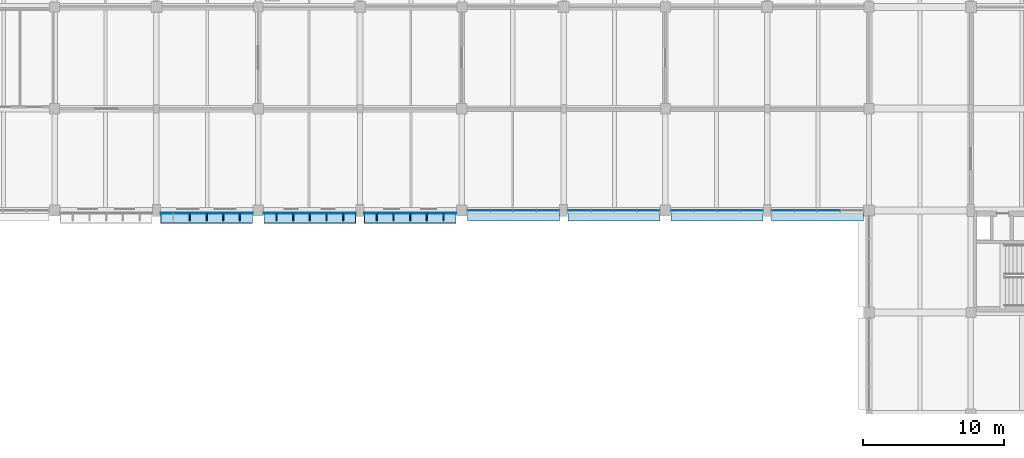
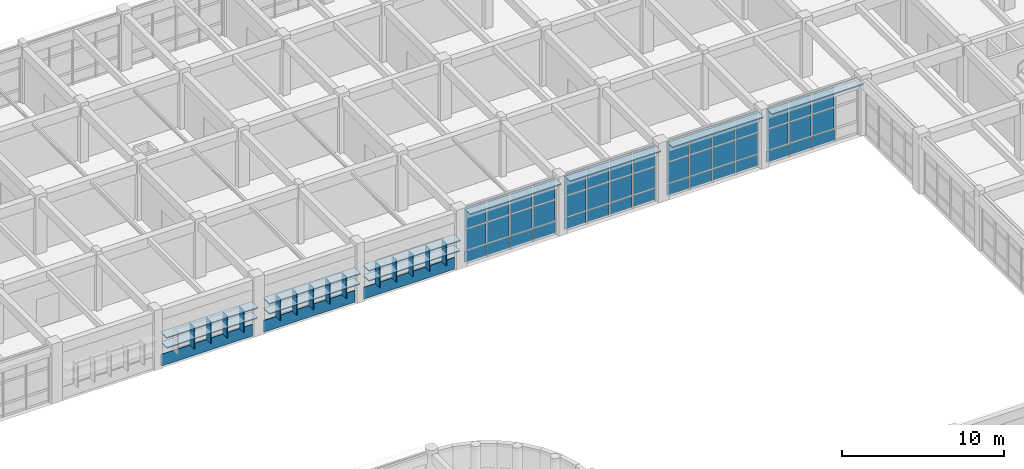
# One storey, part 137 of 171: 72 plates, 4 elements without a shape of their own.
"""IFC4 building model written with IfcOpenShell, lengths in metres."""

import ifcopenshell
import ifcopenshell.guid

model = None  # the IFC model being written
_history = None  # IfcOwnerHistory: only IFC2X3 demands one
_inside = {}  # id of a spatial element -> (the spatial element, [elements in it])
_under = {}  # id of a project, library or spatial element -> (it, [spatial elements below it])
_declared = {}  # id of a project -> (the project, [libraries it declares])
_typed = {}  # id of a type object -> (the type object, [elements of that type])
_made_of = {}  # id of a material, layer set ... -> (it, [elements and type objects made of it])


def new_model(schema):
    """Start an empty IFC model of exactly this schema.

    Asked for "IFC4X3", IfcOpenShell would pick the latest addendum, in which some entities
    have other attributes; the version numbers below select the first issue.
    IFC2X3 requires an IfcOwnerHistory on every rooted entity: one is made here for all.
    """
    global model, _history
    if schema == "IFC4X3":
        model = ifcopenshell.file(schema_version=(4, 3, 0, 0))
    else:
        model = ifcopenshell.file(schema=schema)
    _inside.clear()
    _under.clear()
    _declared.clear()
    _typed.clear()
    _made_of.clear()
    _history = None
    if model.schema == "IFC2X3":
        org = make("IfcOrganization", Name="unknown")
        user = make(
            "IfcPersonAndOrganization",
            ThePerson=make("IfcPerson", FamilyName="unknown"),
            TheOrganization=org,
        )
        app = make(
            "IfcApplication",
            ApplicationDeveloper=org,
            Version="unknown",
            ApplicationFullName="unknown",
            ApplicationIdentifier="unknown",
        )
        _history = make(
            "IfcOwnerHistory",
            OwningUser=user,
            OwningApplication=app,
            ChangeAction="ADDED",
            CreationDate=0,
        )
    return model


def make(cls, **values):
    """One entity of the class cls with the attributes given. An attribute that is None is left unset."""
    return model.create_entity(
        cls, **{name: value for name, value in values.items() if value is not None}
    )


def rooted(cls, **values):
    """An entity with a GlobalId (a new one), such as an element, a storey or a relation."""
    return make(cls, GlobalId=ifcopenshell.guid.new(), OwnerHistory=_history, **values)


def si_unit(unit_type, name, prefix=None):
    """IfcSIUnit, for example si_unit("LENGTHUNIT", "METRE", prefix="MILLI")."""
    return make("IfcSIUnit", UnitType=unit_type, Prefix=prefix, Name=name)


def assignment(units):
    """IfcUnitAssignment: the units of a project."""
    return None if units is None else make("IfcUnitAssignment", Units=units)


def point(xyz):
    """IfcCartesianPoint."""
    return None if xyz is None else make("IfcCartesianPoint", Coordinates=xyz)


def direction(xyz):
    """IfcDirection."""
    return None if xyz is None else make("IfcDirection", DirectionRatios=xyz)


def frame(location, z_axis=None, x_axis=None):
    """IfcAxis2Placement3D, a coordinate frame: its origin and axes. An axis left out is left unset."""
    return make(
        "IfcAxis2Placement3D",
        Location=point(location),
        Axis=direction(z_axis),
        RefDirection=direction(x_axis),
    )


def frame_2d(location, x_axis=None):
    """IfcAxis2Placement2D, a coordinate frame in the plane: its origin and x axis."""
    return make(
        "IfcAxis2Placement2D", Location=point(location), RefDirection=direction(x_axis)
    )


def origin():
    """The frame at (0, 0, 0) with its axes left unset."""
    return frame((0.0, 0.0, 0.0))


def origin_2d():
    """The frame at (0, 0) in the plane with its x axis left unset."""
    return frame_2d((0.0, 0.0))


def place(relative_to, where):
    """IfcLocalPlacement: puts the frame where relative to a parent placement (None: the world)."""
    return make(
        "IfcLocalPlacement", PlacementRelTo=relative_to, RelativePlacement=where
    )


def context(
    kind, dimensions, precision=None, world=None, true_north=None, identifier=None
):
    """IfcGeometricRepresentationContext, for example the 3D "Model" context."""
    return make(
        "IfcGeometricRepresentationContext",
        ContextIdentifier=identifier,
        ContextType=kind,
        CoordinateSpaceDimension=dimensions,
        Precision=precision,
        WorldCoordinateSystem=world,
        TrueNorth=true_north,
    )


def subcontext(parent, identifier, kind, view, scale=None):
    """IfcGeometricRepresentationSubContext, for example "Body" below "Model"."""
    return make(
        "IfcGeometricRepresentationSubContext",
        ContextIdentifier=identifier,
        ContextType=kind,
        ParentContext=parent,
        TargetScale=scale,
        TargetView=view,
    )


def project(units=None, contexts=None):
    """IfcProject with its units and contexts."""
    return rooted(
        "IfcProject",
        Name="project",
        RepresentationContexts=contexts,
        UnitsInContext=assignment(units),
    )


def spatial(cls, under=None, at=None, **own):
    """A site, building, storey or space (cls), placed at a placement, below another one or the project."""
    s = rooted(cls, ObjectPlacement=at, **own)
    if under is not None:
        _under.setdefault(under.id(), (under, []))[1].append(s)
    return s


def profile(cls, at=None, kind="AREA", **sizes):
    """A parametric profile (cls). Its sizes go by their IFC names, for example OverallWidth=200.0."""
    return make(cls, ProfileType=kind, Position=at, **sizes)


def rectangle(**sizes):
    """IfcRectangleProfileDef."""
    return profile("IfcRectangleProfileDef", **sizes)


def extrude(swept, where, along, depth):
    """IfcExtrudedAreaSolid: the profile swept, set in the frame where, extruded along a direction by depth."""
    return make(
        "IfcExtrudedAreaSolid",
        SweptArea=swept,
        Position=where,
        ExtrudedDirection=direction(along),
        Depth=depth,
    )


def shape(context_of_items, identifier, shape_type, items):
    """IfcShapeRepresentation: the items that make up one representation, for example the "Body"."""
    return make(
        "IfcShapeRepresentation",
        ContextOfItems=context_of_items,
        RepresentationIdentifier=identifier,
        RepresentationType=shape_type,
        Items=items,
    )


def material(Name=None, Category=None):
    """IfcMaterial."""
    return make("IfcMaterial", Name=Name, Category=Category)


def layer(
    of_material, thickness, ventilated=None, Name=None, Category=None, Priority=None
):
    """IfcMaterialLayer: one layer of a wall or slab, of a material (None: an air gap)."""
    return make(
        "IfcMaterialLayer",
        Material=of_material,
        LayerThickness=thickness,
        IsVentilated=ventilated,
        Name=Name,
        Category=Category,
        Priority=Priority,
    )


def layer_set(layers, Name=None):
    """IfcMaterialLayerSet."""
    return make("IfcMaterialLayerSet", MaterialLayers=layers, LayerSetName=Name)


def made_of(thing, what):
    """Note that an element or type object is made of a material, layer set ...; save() writes the relation."""
    if what is not None:
        _made_of.setdefault(what.id(), (what, []))[1].append(thing)
    return thing


def type_object(cls, material=None, **own):
    """A type object (cls), such as IfcWallType, which elements share."""
    return made_of(rooted(cls, **own), material)


def element(
    cls,
    number,
    at=None,
    inside=None,
    cuts=None,
    type_object=None,
    material=None,
    context=None,
    identifier="Body",
    shape_type=None,
    held_by="IfcProductDefinitionShape",
    body=None,
    shapes=None,
    **own,
):
    """One element of the class cls, such as IfcWall. Its Tag is "e" and its number.

    at: its placement. inside: the storey or other place that contains it. cuts: it is an
    opening in that element (IfcRelVoidsElement). A single representation is given by context,
    identifier, shape_type and body (its items); several are given by shapes. held_by: the class
    of the entity that holds the representations. save() writes the other relations.
    """
    e = rooted(cls, Tag="e%d" % number, ObjectPlacement=at, **own)
    if body is not None:
        shapes = [shape(context, identifier, shape_type, body)]
    if shapes is not None:
        e.Representation = make(held_by, Representations=shapes)
    if inside is not None:
        _inside.setdefault(inside.id(), (inside, []))[1].append(e)
    if cuts is not None:
        rooted(
            "IfcRelVoidsElement", RelatingBuildingElement=cuts, RelatedOpeningElement=e
        )
    if type_object is not None:
        _typed.setdefault(type_object.id(), (type_object, []))[1].append(e)
    return made_of(e, material)


def aggregate(whole, parts):
    """IfcRelAggregates: a whole, such as a stair, and the parts it consists of."""
    return rooted("IfcRelAggregates", RelatingObject=whole, RelatedObjects=parts)


def save(model, path):
    """Write the relations noted so far, then the file.

    IfcRelAggregates (storeys below a building ...), IfcRelContainedInSpatialStructure (elements
    in a storey), IfcRelDefinesByType, IfcRelAssociatesMaterial and IfcRelDeclares: one each for
    every whole, place, type object, material and project.
    """
    for whole, parts in _under.values():
        aggregate(whole, parts)
    for where, things in _inside.values():
        rooted(
            "IfcRelContainedInSpatialStructure",
            RelatedElements=things,
            RelatingStructure=where,
        )
    for kind, things in _typed.values():
        rooted("IfcRelDefinesByType", RelatedObjects=things, RelatingType=kind)
    for what, things in _made_of.values():
        rooted("IfcRelAssociatesMaterial", RelatedObjects=things, RelatingMaterial=what)
    for by, libraries in _declared.values():
        rooted("IfcRelDeclares", RelatingContext=by, RelatedDefinitions=libraries)
    model.write(path)


model = new_model("IFC4")

# Units and contexts
model_context = context("Model", 3, precision=1e-05, world=origin(), true_north=direction((0.0, 1.0)))
body_context = subcontext(model_context, "Body", "Model", "MODEL_VIEW")
ifc_project = project(units=[si_unit("LENGTHUNIT", "METRE"), si_unit("AREAUNIT", "SQUARE_METRE"), si_unit("VOLUMEUNIT", "CUBIC_METRE"), si_unit("PLANEANGLEUNIT", "RADIAN"), si_unit("MASSUNIT", "GRAM", prefix="KILO")], contexts=[model_context])

# Site, building, storey
site_placement = place(None, origin())
site = spatial("IfcSite", under=ifc_project, at=site_placement, CompositionType="ELEMENT")
building_placement = place(site_placement, origin())
building = spatial("IfcBuilding", under=site, at=building_placement, Name="Thalmaran Polytechnic", CompositionType="ELEMENT")
storey_placement = place(building_placement, frame((0.0, 0.0, 5.39990234375)))
storey = spatial("IfcBuildingStorey", under=building, at=storey_placement, Name="L01", CompositionType="ELEMENT", Elevation=5.39990234375)

# Plates
ifc_material_1 = material(Name="Anodised aluminium spandrel band", Category="aluminium")
ifc_layer_1 = layer(ifc_material_1, 0.054931640625, Name="Anodised aluminium spandrel band")
ifc_layer_set_1 = layer_set([ifc_layer_1], Name="Anodised aluminium spandrel band")
plate_type_1 = type_object("IfcPlateType", Name="PT-BD01", PredefinedType="SHEET", material=ifc_layer_set_1)
for number, where, z_axis, x_axis, name in (
    (1, (97.14990234375, 93.405029296875, 0.020263671875), (0.0, 0.0, 1.0), (-1.0, 0.0, 0.0), "Streamline Horizontal Spandrel Band L01-209"),
    (2, (90.050048828125, 93.405029296875, 0.020263671875), (0.0, 0.0, 1.0), (-1.0, 0.0, 0.0), "Streamline Horizontal Spandrel Band L01-210"),
    (3, (82.75, 93.405029296875, 0.020263671875), (0.0, 0.0, 1.0), (-1.0, 0.0, 0.0), "Streamline Horizontal Spandrel Band L01-211"),
):
    element("IfcPlate", number, at=place(storey_placement, frame(where, z_axis=z_axis, x_axis=x_axis)), inside=storey, type_object=plate_type_1, Name=name, PredefinedType="SHEET", context=body_context, shape_type="SweptSolid", body=[
        extrude(rectangle(XDim=6.510009765625, YDim=0.054931640625, at=origin_2d()), origin(), (0.0, 0.0, 1.0), 0.8798828125),
    ])
ifc_material_2 = material(Name="Anodised aluminium sun-hood eyebrow", Category="aluminium")
ifc_layer_2 = layer(ifc_material_2, 0.0849609375, Name="Anodised aluminium sun-hood eyebrow")
ifc_layer_set_2 = layer_set([ifc_layer_2], Name="Anodised aluminium sun-hood eyebrow")
plate_type_2 = type_object("IfcPlateType", Name="PT-EB01", PredefinedType="SHEET", material=ifc_layer_set_2)
for number, where, z_axis, x_axis, name in (
    (4, (125.949951171875, 93.239990234375, 4.107666015625), (0.0, 0.0, 1.0), (-1.0, 0.0, 0.0), "Streamline Sun-Hood Eyebrow L01-CW185"),
    (5, (118.85009765625, 93.239990234375, 4.107666015625), (0.0, 0.0, 1.0), (-1.0, 0.0, 0.0), "Streamline Sun-Hood Eyebrow L01-CW186"),
    (6, (111.550048828125, 93.239990234375, 4.107666015625), (0.0, 0.0, 1.0), (-1.0, 0.0, 0.0), "Streamline Sun-Hood Eyebrow L01-CW187"),
    (7, (104.449951171875, 93.239990234375, 4.107666015625), (0.0, 0.0, 1.0), (-1.0, 0.0, 0.0), "Streamline Sun-Hood Eyebrow L01-CW188"),
    (8, (97.14990234375, 93.06005859375, 2.517578125), (0.0, 0.0, 1.0), (-1.0, 0.0, 0.0), "Streamline Sun-Hood Eyebrow L01-209"),
):
    element("IfcPlate", number, at=place(storey_placement, frame(where, z_axis=z_axis, x_axis=x_axis)), inside=storey, type_object=plate_type_2, Name=name, PredefinedType="SHEET", context=body_context, shape_type="SweptSolid", body=[
        extrude(rectangle(XDim=6.510009765625, YDim=0.760009765625, at=origin_2d()), origin(), (0.0, 0.0, 1.0), 0.0849609375),
    ])
plate_1_placement = place(storey_placement, frame((97.14990234375, 93.080078125, 1.74267578125), z_axis=(0.0, 0.0, 1.0), x_axis=(-1.0, 0.0, 0.0)))
element("IfcPlate", 9, at=plate_1_placement, inside=storey, type_object=plate_type_2, Name="Abu Dhabi Horizontal Solar Louvre L01-209", PredefinedType="SHEET", context=body_context, shape_type="SweptSolid", body=[
    extrude(rectangle(XDim=6.469970703125, YDim=0.719970703125, at=origin_2d()), origin(), (0.0, 0.0, 1.0), 0.074951171875),
])
plate_2_placement = place(storey_placement, frame((90.050048828125, 93.06005859375, 2.517578125), z_axis=(0.0, 0.0, 1.0), x_axis=(-1.0, 0.0, 0.0)))
element("IfcPlate", 10, at=plate_2_placement, inside=storey, type_object=plate_type_2, Name="Streamline Sun-Hood Eyebrow L01-210", PredefinedType="SHEET", context=body_context, shape_type="SweptSolid", body=[
    extrude(rectangle(XDim=6.510009765625, YDim=0.760009765625, at=origin_2d()), origin(), (0.0, 0.0, 1.0), 0.0849609375),
])
plate_3_placement = place(storey_placement, frame((90.050048828125, 93.080078125, 1.74267578125), z_axis=(0.0, 0.0, 1.0), x_axis=(-1.0, 0.0, 0.0)))
element("IfcPlate", 11, at=plate_3_placement, inside=storey, type_object=plate_type_2, Name="Abu Dhabi Horizontal Solar Louvre L01-210", PredefinedType="SHEET", context=body_context, shape_type="SweptSolid", body=[
    extrude(rectangle(XDim=6.469970703125, YDim=0.719970703125, at=origin_2d()), origin(), (0.0, 0.0, 1.0), 0.074951171875),
])
plate_4_placement = place(storey_placement, frame((82.75, 93.06005859375, 2.517578125), z_axis=(0.0, 0.0, 1.0), x_axis=(-1.0, 0.0, 0.0)))
element("IfcPlate", 12, at=plate_4_placement, inside=storey, type_object=plate_type_2, Name="Streamline Sun-Hood Eyebrow L01-211", PredefinedType="SHEET", context=body_context, shape_type="SweptSolid", body=[
    extrude(rectangle(XDim=6.510009765625, YDim=0.760009765625, at=origin_2d()), origin(), (0.0, 0.0, 1.0), 0.0849609375),
])
plate_5_placement = place(storey_placement, frame((82.75, 93.080078125, 1.74267578125), z_axis=(0.0, 0.0, 1.0), x_axis=(-1.0, 0.0, 0.0)))
element("IfcPlate", 13, at=plate_5_placement, inside=storey, type_object=plate_type_2, Name="Abu Dhabi Horizontal Solar Louvre L01-211", PredefinedType="SHEET", context=body_context, shape_type="SweptSolid", body=[
    extrude(rectangle(XDim=6.469970703125, YDim=0.719970703125, at=origin_2d()), origin(), (0.0, 0.0, 1.0), 0.074951171875),
])
ifc_material_3 = material(Name="Anodised bronze brise-soleil fin")
ifc_layer_3 = layer(ifc_material_3, 0.06494140625, Name="Anodised bronze brise-soleil fin")
ifc_layer_set_3 = layer_set([ifc_layer_3], Name="Anodised bronze brise-soleil fin")
plate_type_3 = type_object("IfcPlateType", Name="PT-FN01", PredefinedType="SHEET", material=ifc_layer_set_3)
for number, where, z_axis, x_axis, name in (
    (14, (99.508056640625, 93.139892578125, 0.895263671875), (0.0, 0.0, 1.0), (-1.0, 0.0, 0.0), "Abu Dhabi Solar Brise-Soleil Fin L01-209-1"),
    (15, (98.3291015625, 93.139892578125, 0.895263671875), (0.0, 0.0, 1.0), (-1.0, 0.0, 0.0), "Abu Dhabi Solar Brise-Soleil Fin L01-209-2"),
    (16, (97.14990234375, 93.139892578125, 0.895263671875), (0.0, 0.0, 1.0), (-1.0, 0.0, 0.0), "Abu Dhabi Solar Brise-Soleil Fin L01-209-3"),
    (17, (95.970947265625, 93.139892578125, 0.895263671875), (0.0, 0.0, 1.0), (-1.0, 0.0, 0.0), "Abu Dhabi Solar Brise-Soleil Fin L01-209-4"),
    (18, (94.7919921875, 93.139892578125, 0.895263671875), (0.0, 0.0, 1.0), (-1.0, 0.0, 0.0), "Abu Dhabi Solar Brise-Soleil Fin L01-209-5"),
    (19, (92.407958984375, 93.139892578125, 0.895263671875), (0.0, 0.0, 1.0), (-1.0, 0.0, 0.0), "Abu Dhabi Solar Brise-Soleil Fin L01-210-1"),
    (20, (91.22900390625, 93.139892578125, 0.895263671875), (0.0, 0.0, 1.0), (-1.0, 0.0, 0.0), "Abu Dhabi Solar Brise-Soleil Fin L01-210-2"),
    (21, (90.050048828125, 93.139892578125, 0.895263671875), (0.0, 0.0, 1.0), (-1.0, 0.0, 0.0), "Abu Dhabi Solar Brise-Soleil Fin L01-210-3"),
    (22, (88.87109375, 93.139892578125, 0.895263671875), (0.0, 0.0, 1.0), (-1.0, 0.0, 0.0), "Abu Dhabi Solar Brise-Soleil Fin L01-210-4"),
    (23, (87.69189453125, 93.139892578125, 0.895263671875), (0.0, 0.0, 1.0), (-1.0, 0.0, 0.0), "Abu Dhabi Solar Brise-Soleil Fin L01-210-5"),
    (24, (85.10791015625, 93.139892578125, 0.895263671875), (0.0, 0.0, 1.0), (-1.0, 0.0, 0.0), "Abu Dhabi Solar Brise-Soleil Fin L01-211-1"),
    (25, (83.928955078125, 93.139892578125, 0.895263671875), (0.0, 0.0, 1.0), (-1.0, 0.0, 0.0), "Abu Dhabi Solar Brise-Soleil Fin L01-211-2"),
    (26, (82.75, 93.139892578125, 0.895263671875), (0.0, 0.0, 1.0), (-1.0, 0.0, 0.0), "Abu Dhabi Solar Brise-Soleil Fin L01-211-3"),
    (27, (81.571044921875, 93.139892578125, 0.895263671875), (0.0, 0.0, 1.0), (-1.0, 0.0, 0.0), "Abu Dhabi Solar Brise-Soleil Fin L01-211-4"),
):
    element("IfcPlate", number, at=place(storey_placement, frame(where, z_axis=z_axis, x_axis=x_axis)), inside=storey, type_object=plate_type_3, Name=name, PredefinedType="SHEET", context=body_context, shape_type="SweptSolid", body=[
        extrude(rectangle(XDim=0.06494140625, YDim=0.56005859375, at=origin_2d()), origin(), (0.0, 0.0, 1.0), 1.64990234375),
    ])

# Curtain wall, plates
ifc_material_4 = material(Name="Aluminium 6063-T6", Category="aluminium")
curtain_wall_type = type_object("IfcCurtainWallType", Name="CW-UC02", PredefinedType="USERDEFINED", material=ifc_material_4)
curtain_wall_1_placement = place(storey_placement, origin())
curtain_wall_1 = element("IfcCurtainWall", 28, at=curtain_wall_1_placement, inside=storey, type_object=curtain_wall_type, Name="Curtain Wall CW-L01-185", ObjectType="UNITISED CURTAIN WALL", PredefinedType="USERDEFINED")
ifc_material_5 = material(Name="Solar-control double low-E glass", Category="glass")
ifc_layer_4 = layer(ifc_material_5, 0.035888671875, Name="Solar-control double low-E glass")
ifc_layer_set_4 = layer_set([ifc_layer_4], Name="Solar-control double low-E glass")
plate_type_4 = type_object("IfcPlateType", Name="PT-GL01", PredefinedType="CURTAIN_PANEL", material=ifc_layer_set_4)
plate_6_placement = place(storey_placement, frame((126.768798828125, 93.60009765625, 1.000244140625), z_axis=(0.0, 0.0, 1.0), x_axis=(-1.0, 0.0, 0.0)))
plate_6 = element("IfcPlate", 29, at=plate_6_placement, type_object=plate_type_4, Name="CW-L01-185 Vision Panel 2-2", PredefinedType="CURTAIN_PANEL", context=body_context, shape_type="SweptSolid", body=[
    extrude(rectangle(XDim=1.53759765625, YDim=0.035888671875, at=origin_2d()), origin(), (0.0, 0.0, 1.0), 1.544921875),
])
plate_7_placement = place(storey_placement, frame((126.768798828125, 93.60009765625, 2.625), z_axis=(0.0, 0.0, 1.0), x_axis=(-1.0, 0.0, 0.0)))
plate_7 = element("IfcPlate", 30, at=plate_7_placement, type_object=plate_type_4, Name="CW-L01-185 Vision Panel 2-3", PredefinedType="CURTAIN_PANEL", context=body_context, shape_type="SweptSolid", body=[
    extrude(rectangle(XDim=1.53759765625, YDim=0.035888671875, at=origin_2d()), origin(), (0.0, 0.0, 1.0), 1.485107421875),
])
plate_8_placement = place(storey_placement, frame((125.13134765625, 93.60009765625, 1.000244140625), z_axis=(0.0, 0.0, 1.0), x_axis=(-1.0, 0.0, 0.0)))
plate_8 = element("IfcPlate", 31, at=plate_8_placement, type_object=plate_type_4, Name="CW-L01-185 Vision Panel 3-2", PredefinedType="CURTAIN_PANEL", context=body_context, shape_type="SweptSolid", body=[
    extrude(rectangle(XDim=1.53759765625, YDim=0.035888671875, at=origin_2d()), origin(), (0.0, 0.0, 1.0), 1.544921875),
])
plate_9_placement = place(storey_placement, frame((125.13134765625, 93.60009765625, 2.625), z_axis=(0.0, 0.0, 1.0), x_axis=(-1.0, 0.0, 0.0)))
plate_9 = element("IfcPlate", 32, at=plate_9_placement, type_object=plate_type_4, Name="CW-L01-185 Vision Panel 3-3", PredefinedType="CURTAIN_PANEL", context=body_context, shape_type="SweptSolid", body=[
    extrude(rectangle(XDim=1.53759765625, YDim=0.035888671875, at=origin_2d()), origin(), (0.0, 0.0, 1.0), 1.485107421875),
])
plate_10_placement = place(storey_placement, frame((123.49365234375, 93.60009765625, 1.000244140625), z_axis=(0.0, 0.0, 1.0), x_axis=(-1.0, 0.0, 0.0)))
plate_10 = element("IfcPlate", 33, at=plate_10_placement, type_object=plate_type_4, Name="CW-L01-185 Vision Panel 4-2", PredefinedType="CURTAIN_PANEL", context=body_context, shape_type="SweptSolid", body=[
    extrude(rectangle(XDim=1.53759765625, YDim=0.035888671875, at=origin_2d()), origin(), (0.0, 0.0, 1.0), 1.544921875),
])
plate_11_placement = place(storey_placement, frame((123.49365234375, 93.60009765625, 2.625), z_axis=(0.0, 0.0, 1.0), x_axis=(-1.0, 0.0, 0.0)))
plate_11 = element("IfcPlate", 34, at=plate_11_placement, type_object=plate_type_4, Name="CW-L01-185 Vision Panel 4-3", PredefinedType="CURTAIN_PANEL", context=body_context, shape_type="SweptSolid", body=[
    extrude(rectangle(XDim=1.53759765625, YDim=0.035888671875, at=origin_2d()), origin(), (0.0, 0.0, 1.0), 1.485107421875),
])

curtain_wall_2_placement = place(storey_placement, origin())
curtain_wall_2 = element("IfcCurtainWall", 35, at=curtain_wall_2_placement, inside=storey, type_object=curtain_wall_type, Name="Curtain Wall CW-L01-186", ObjectType="UNITISED CURTAIN WALL", PredefinedType="USERDEFINED")
ifc_layer_5 = layer(ifc_material_5, 0.035888671875, Name="Solar-control double low-E glass")
ifc_layer_set_5 = layer_set([ifc_layer_5], Name="Solar-control double low-E glass")
plate_type_5 = type_object("IfcPlateType", Name="PT-GL02", PredefinedType="CURTAIN_PANEL", material=ifc_layer_set_5)
plate_12_placement = place(storey_placement, frame((121.30615234375, 93.60009765625, 1.000244140625), z_axis=(0.0, 0.0, 1.0), x_axis=(-1.0, 0.0, 0.0)))
plate_12 = element("IfcPlate", 36, at=plate_12_placement, type_object=plate_type_5, Name="CW-L01-186 Vision Panel 1-2", PredefinedType="CURTAIN_PANEL", context=body_context, shape_type="SweptSolid", body=[
    extrude(rectangle(XDim=1.53759765625, YDim=0.035888671875, at=origin_2d()), origin(), (0.0, 0.0, 1.0), 1.544921875),
])
plate_13_placement = place(storey_placement, frame((121.30615234375, 93.60009765625, 2.625), z_axis=(0.0, 0.0, 1.0), x_axis=(-1.0, 0.0, 0.0)))
plate_13 = element("IfcPlate", 37, at=plate_13_placement, type_object=plate_type_5, Name="CW-L01-186 Vision Panel 1-3", PredefinedType="CURTAIN_PANEL", context=body_context, shape_type="SweptSolid", body=[
    extrude(rectangle(XDim=1.53759765625, YDim=0.035888671875, at=origin_2d()), origin(), (0.0, 0.0, 1.0), 1.485107421875),
])
plate_14_placement = place(storey_placement, frame((119.668701171875, 93.60009765625, 1.000244140625), z_axis=(0.0, 0.0, 1.0), x_axis=(-1.0, 0.0, 0.0)))
plate_14 = element("IfcPlate", 38, at=plate_14_placement, type_object=plate_type_5, Name="CW-L01-186 Vision Panel 2-2", PredefinedType="CURTAIN_PANEL", context=body_context, shape_type="SweptSolid", body=[
    extrude(rectangle(XDim=1.53759765625, YDim=0.035888671875, at=origin_2d()), origin(), (0.0, 0.0, 1.0), 1.544921875),
])
plate_15_placement = place(storey_placement, frame((119.668701171875, 93.60009765625, 2.625), z_axis=(0.0, 0.0, 1.0), x_axis=(-1.0, 0.0, 0.0)))
plate_15 = element("IfcPlate", 39, at=plate_15_placement, type_object=plate_type_5, Name="CW-L01-186 Vision Panel 2-3", PredefinedType="CURTAIN_PANEL", context=body_context, shape_type="SweptSolid", body=[
    extrude(rectangle(XDim=1.53759765625, YDim=0.035888671875, at=origin_2d()), origin(), (0.0, 0.0, 1.0), 1.485107421875),
])
plate_16_placement = place(storey_placement, frame((118.03125, 93.60009765625, 1.000244140625), z_axis=(0.0, 0.0, 1.0), x_axis=(-1.0, 0.0, 0.0)))
plate_16 = element("IfcPlate", 40, at=plate_16_placement, type_object=plate_type_5, Name="CW-L01-186 Vision Panel 3-2", PredefinedType="CURTAIN_PANEL", context=body_context, shape_type="SweptSolid", body=[
    extrude(rectangle(XDim=1.53759765625, YDim=0.035888671875, at=origin_2d()), origin(), (0.0, 0.0, 1.0), 1.544921875),
])
plate_17_placement = place(storey_placement, frame((118.03125, 93.60009765625, 2.625), z_axis=(0.0, 0.0, 1.0), x_axis=(-1.0, 0.0, 0.0)))
plate_17 = element("IfcPlate", 41, at=plate_17_placement, type_object=plate_type_5, Name="CW-L01-186 Vision Panel 3-3", PredefinedType="CURTAIN_PANEL", context=body_context, shape_type="SweptSolid", body=[
    extrude(rectangle(XDim=1.53759765625, YDim=0.035888671875, at=origin_2d()), origin(), (0.0, 0.0, 1.0), 1.485107421875),
])
plate_18_placement = place(storey_placement, frame((116.393798828125, 93.60009765625, 1.000244140625), z_axis=(0.0, 0.0, 1.0), x_axis=(-1.0, 0.0, 0.0)))
plate_18 = element("IfcPlate", 42, at=plate_18_placement, type_object=plate_type_5, Name="CW-L01-186 Vision Panel 4-2", PredefinedType="CURTAIN_PANEL", context=body_context, shape_type="SweptSolid", body=[
    extrude(rectangle(XDim=1.53759765625, YDim=0.035888671875, at=origin_2d()), origin(), (0.0, 0.0, 1.0), 1.544921875),
])
plate_19_placement = place(storey_placement, frame((116.393798828125, 93.60009765625, 2.625), z_axis=(0.0, 0.0, 1.0), x_axis=(-1.0, 0.0, 0.0)))
plate_19 = element("IfcPlate", 43, at=plate_19_placement, type_object=plate_type_5, Name="CW-L01-186 Vision Panel 4-3", PredefinedType="CURTAIN_PANEL", context=body_context, shape_type="SweptSolid", body=[
    extrude(rectangle(XDim=1.53759765625, YDim=0.035888671875, at=origin_2d()), origin(), (0.0, 0.0, 1.0), 1.485107421875),
])

curtain_wall_3_placement = place(storey_placement, origin())
curtain_wall_3 = element("IfcCurtainWall", 44, at=curtain_wall_3_placement, inside=storey, type_object=curtain_wall_type, Name="Curtain Wall CW-L01-187", ObjectType="UNITISED CURTAIN WALL", PredefinedType="USERDEFINED")
ifc_layer_6 = layer(ifc_material_5, 0.035888671875, Name="Solar-control double low-E glass")
ifc_layer_set_6 = layer_set([ifc_layer_6], Name="Solar-control double low-E glass")
plate_type_6 = type_object("IfcPlateType", Name="PT-GL03", PredefinedType="CURTAIN_PANEL", material=ifc_layer_set_6)
plate_20_placement = place(storey_placement, frame((114.00634765625, 93.60009765625, 1.000244140625), z_axis=(0.0, 0.0, 1.0), x_axis=(-1.0, 0.0, 0.0)))
plate_20 = element("IfcPlate", 45, at=plate_20_placement, type_object=plate_type_6, Name="CW-L01-187 Vision Panel 1-2", PredefinedType="CURTAIN_PANEL", context=body_context, shape_type="SweptSolid", body=[
    extrude(rectangle(XDim=1.53759765625, YDim=0.035888671875, at=origin_2d()), origin(), (0.0, 0.0, 1.0), 1.544921875),
])
plate_21_placement = place(storey_placement, frame((114.00634765625, 93.60009765625, 2.625), z_axis=(0.0, 0.0, 1.0), x_axis=(-1.0, 0.0, 0.0)))
plate_21 = element("IfcPlate", 46, at=plate_21_placement, type_object=plate_type_6, Name="CW-L01-187 Vision Panel 1-3", PredefinedType="CURTAIN_PANEL", context=body_context, shape_type="SweptSolid", body=[
    extrude(rectangle(XDim=1.53759765625, YDim=0.035888671875, at=origin_2d()), origin(), (0.0, 0.0, 1.0), 1.485107421875),
])
plate_22_placement = place(storey_placement, frame((112.36865234375, 93.60009765625, 1.000244140625), z_axis=(0.0, 0.0, 1.0), x_axis=(-1.0, 0.0, 0.0)))
plate_22 = element("IfcPlate", 47, at=plate_22_placement, type_object=plate_type_6, Name="CW-L01-187 Vision Panel 2-2", PredefinedType="CURTAIN_PANEL", context=body_context, shape_type="SweptSolid", body=[
    extrude(rectangle(XDim=1.53759765625, YDim=0.035888671875, at=origin_2d()), origin(), (0.0, 0.0, 1.0), 1.544921875),
])
plate_23_placement = place(storey_placement, frame((112.36865234375, 93.60009765625, 2.625), z_axis=(0.0, 0.0, 1.0), x_axis=(-1.0, 0.0, 0.0)))
plate_23 = element("IfcPlate", 48, at=plate_23_placement, type_object=plate_type_6, Name="CW-L01-187 Vision Panel 2-3", PredefinedType="CURTAIN_PANEL", context=body_context, shape_type="SweptSolid", body=[
    extrude(rectangle(XDim=1.53759765625, YDim=0.035888671875, at=origin_2d()), origin(), (0.0, 0.0, 1.0), 1.485107421875),
])
plate_24_placement = place(storey_placement, frame((110.731201171875, 93.60009765625, 1.000244140625), z_axis=(0.0, 0.0, 1.0), x_axis=(-1.0, 0.0, 0.0)))
plate_24 = element("IfcPlate", 49, at=plate_24_placement, type_object=plate_type_6, Name="CW-L01-187 Vision Panel 3-2", PredefinedType="CURTAIN_PANEL", context=body_context, shape_type="SweptSolid", body=[
    extrude(rectangle(XDim=1.53759765625, YDim=0.035888671875, at=origin_2d()), origin(), (0.0, 0.0, 1.0), 1.544921875),
])
plate_25_placement = place(storey_placement, frame((110.731201171875, 93.60009765625, 2.625), z_axis=(0.0, 0.0, 1.0), x_axis=(-1.0, 0.0, 0.0)))
plate_25 = element("IfcPlate", 50, at=plate_25_placement, type_object=plate_type_6, Name="CW-L01-187 Vision Panel 3-3", PredefinedType="CURTAIN_PANEL", context=body_context, shape_type="SweptSolid", body=[
    extrude(rectangle(XDim=1.53759765625, YDim=0.035888671875, at=origin_2d()), origin(), (0.0, 0.0, 1.0), 1.485107421875),
])
plate_26_placement = place(storey_placement, frame((109.09375, 93.60009765625, 1.000244140625), z_axis=(0.0, 0.0, 1.0), x_axis=(-1.0, 0.0, 0.0)))
plate_26 = element("IfcPlate", 51, at=plate_26_placement, type_object=plate_type_6, Name="CW-L01-187 Vision Panel 4-2", PredefinedType="CURTAIN_PANEL", context=body_context, shape_type="SweptSolid", body=[
    extrude(rectangle(XDim=1.53759765625, YDim=0.035888671875, at=origin_2d()), origin(), (0.0, 0.0, 1.0), 1.544921875),
])
plate_27_placement = place(storey_placement, frame((109.09375, 93.60009765625, 2.625), z_axis=(0.0, 0.0, 1.0), x_axis=(-1.0, 0.0, 0.0)))
plate_27 = element("IfcPlate", 52, at=plate_27_placement, type_object=plate_type_6, Name="CW-L01-187 Vision Panel 4-3", PredefinedType="CURTAIN_PANEL", context=body_context, shape_type="SweptSolid", body=[
    extrude(rectangle(XDim=1.53759765625, YDim=0.035888671875, at=origin_2d()), origin(), (0.0, 0.0, 1.0), 1.485107421875),
])

curtain_wall_4_placement = place(storey_placement, origin())
curtain_wall_4 = element("IfcCurtainWall", 53, at=curtain_wall_4_placement, inside=storey, type_object=curtain_wall_type, Name="Curtain Wall CW-L01-188", ObjectType="UNITISED CURTAIN WALL", PredefinedType="USERDEFINED")
ifc_layer_7 = layer(ifc_material_5, 0.035888671875, Name="Solar-control double low-E glass")
ifc_layer_set_7 = layer_set([ifc_layer_7], Name="Solar-control double low-E glass")
plate_type_7 = type_object("IfcPlateType", Name="PT-GL04", PredefinedType="CURTAIN_PANEL", material=ifc_layer_set_7)
plate_28_placement = place(storey_placement, frame((106.90625, 93.60009765625, 1.000244140625), z_axis=(0.0, 0.0, 1.0), x_axis=(-1.0, 0.0, 0.0)))
plate_28 = element("IfcPlate", 54, at=plate_28_placement, type_object=plate_type_7, Name="CW-L01-188 Vision Panel 1-2", PredefinedType="CURTAIN_PANEL", context=body_context, shape_type="SweptSolid", body=[
    extrude(rectangle(XDim=1.53759765625, YDim=0.035888671875, at=origin_2d()), origin(), (0.0, 0.0, 1.0), 1.544921875),
])
plate_29_placement = place(storey_placement, frame((106.90625, 93.60009765625, 2.625), z_axis=(0.0, 0.0, 1.0), x_axis=(-1.0, 0.0, 0.0)))
plate_29 = element("IfcPlate", 55, at=plate_29_placement, type_object=plate_type_7, Name="CW-L01-188 Vision Panel 1-3", PredefinedType="CURTAIN_PANEL", context=body_context, shape_type="SweptSolid", body=[
    extrude(rectangle(XDim=1.53759765625, YDim=0.035888671875, at=origin_2d()), origin(), (0.0, 0.0, 1.0), 1.485107421875),
])
plate_30_placement = place(storey_placement, frame((105.268798828125, 93.60009765625, 1.000244140625), z_axis=(0.0, 0.0, 1.0), x_axis=(-1.0, 0.0, 0.0)))
plate_30 = element("IfcPlate", 56, at=plate_30_placement, type_object=plate_type_7, Name="CW-L01-188 Vision Panel 2-2", PredefinedType="CURTAIN_PANEL", context=body_context, shape_type="SweptSolid", body=[
    extrude(rectangle(XDim=1.53759765625, YDim=0.035888671875, at=origin_2d()), origin(), (0.0, 0.0, 1.0), 1.544921875),
])
plate_31_placement = place(storey_placement, frame((105.268798828125, 93.60009765625, 2.625), z_axis=(0.0, 0.0, 1.0), x_axis=(-1.0, 0.0, 0.0)))
plate_31 = element("IfcPlate", 57, at=plate_31_placement, type_object=plate_type_7, Name="CW-L01-188 Vision Panel 2-3", PredefinedType="CURTAIN_PANEL", context=body_context, shape_type="SweptSolid", body=[
    extrude(rectangle(XDim=1.53759765625, YDim=0.035888671875, at=origin_2d()), origin(), (0.0, 0.0, 1.0), 1.485107421875),
])
plate_32_placement = place(storey_placement, frame((103.63134765625, 93.60009765625, 1.000244140625), z_axis=(0.0, 0.0, 1.0), x_axis=(-1.0, 0.0, 0.0)))
plate_32 = element("IfcPlate", 58, at=plate_32_placement, type_object=plate_type_7, Name="CW-L01-188 Vision Panel 3-2", PredefinedType="CURTAIN_PANEL", context=body_context, shape_type="SweptSolid", body=[
    extrude(rectangle(XDim=1.53759765625, YDim=0.035888671875, at=origin_2d()), origin(), (0.0, 0.0, 1.0), 1.544921875),
])
plate_33_placement = place(storey_placement, frame((103.63134765625, 93.60009765625, 2.625), z_axis=(0.0, 0.0, 1.0), x_axis=(-1.0, 0.0, 0.0)))
plate_33 = element("IfcPlate", 59, at=plate_33_placement, type_object=plate_type_7, Name="CW-L01-188 Vision Panel 3-3", PredefinedType="CURTAIN_PANEL", context=body_context, shape_type="SweptSolid", body=[
    extrude(rectangle(XDim=1.53759765625, YDim=0.035888671875, at=origin_2d()), origin(), (0.0, 0.0, 1.0), 1.485107421875),
])
plate_34_placement = place(storey_placement, frame((101.99365234375, 93.60009765625, 1.000244140625), z_axis=(0.0, 0.0, 1.0), x_axis=(-1.0, 0.0, 0.0)))
plate_34 = element("IfcPlate", 60, at=plate_34_placement, type_object=plate_type_7, Name="CW-L01-188 Vision Panel 4-2", PredefinedType="CURTAIN_PANEL", context=body_context, shape_type="SweptSolid", body=[
    extrude(rectangle(XDim=1.53759765625, YDim=0.035888671875, at=origin_2d()), origin(), (0.0, 0.0, 1.0), 1.544921875),
])
plate_35_placement = place(storey_placement, frame((101.99365234375, 93.60009765625, 2.625), z_axis=(0.0, 0.0, 1.0), x_axis=(-1.0, 0.0, 0.0)))
plate_35 = element("IfcPlate", 61, at=plate_35_placement, type_object=plate_type_7, Name="CW-L01-188 Vision Panel 4-3", PredefinedType="CURTAIN_PANEL", context=body_context, shape_type="SweptSolid", body=[
    extrude(rectangle(XDim=1.53759765625, YDim=0.035888671875, at=origin_2d()), origin(), (0.0, 0.0, 1.0), 1.485107421875),
])

# Plate
ifc_material_6 = material(Name="Insulated anodised aluminium spandrel", Category="aluminium")
ifc_layer_8 = layer(ifc_material_6, 0.06005859375, Name="Insulated anodised aluminium spandrel")
ifc_layer_set_8 = layer_set([ifc_layer_8], Name="Insulated anodised aluminium spandrel")
plate_type_8 = type_object("IfcPlateType", Name="PT-SP01", PredefinedType="CURTAIN_PANEL", material=ifc_layer_set_8)
plate_36_placement = place(storey_placement, frame((121.30615234375, 93.60009765625, 0.10009765625), z_axis=(0.0, 0.0, 1.0), x_axis=(-1.0, 0.0, 0.0)))
plate_36 = element("IfcPlate", 62, at=plate_36_placement, type_object=plate_type_8, Name="CW-L01-186 Spandrel Panel 1-1", PredefinedType="CURTAIN_PANEL", context=body_context, shape_type="SweptSolid", body=[
    extrude(rectangle(XDim=1.53759765625, YDim=0.06005859375, at=origin_2d()), origin(), (0.0, 0.0, 1.0), 0.820068359375),
])

plate_37_placement = place(storey_placement, frame((119.668701171875, 93.60009765625, 0.10009765625), z_axis=(0.0, 0.0, 1.0), x_axis=(-1.0, 0.0, 0.0)))
plate_37 = element("IfcPlate", 63, at=plate_37_placement, type_object=plate_type_8, Name="CW-L01-186 Spandrel Panel 2-1", PredefinedType="CURTAIN_PANEL", context=body_context, shape_type="SweptSolid", body=[
    extrude(rectangle(XDim=1.53759765625, YDim=0.06005859375, at=origin_2d()), origin(), (0.0, 0.0, 1.0), 0.820068359375),
])

plate_38_placement = place(storey_placement, frame((118.03125, 93.60009765625, 0.10009765625), z_axis=(0.0, 0.0, 1.0), x_axis=(-1.0, 0.0, 0.0)))
plate_38 = element("IfcPlate", 64, at=plate_38_placement, type_object=plate_type_8, Name="CW-L01-186 Spandrel Panel 3-1", PredefinedType="CURTAIN_PANEL", context=body_context, shape_type="SweptSolid", body=[
    extrude(rectangle(XDim=1.53759765625, YDim=0.06005859375, at=origin_2d()), origin(), (0.0, 0.0, 1.0), 0.820068359375),
])

plate_39_placement = place(storey_placement, frame((116.393798828125, 93.60009765625, 0.10009765625), z_axis=(0.0, 0.0, 1.0), x_axis=(-1.0, 0.0, 0.0)))
plate_39 = element("IfcPlate", 65, at=plate_39_placement, type_object=plate_type_8, Name="CW-L01-186 Spandrel Panel 4-1", PredefinedType="CURTAIN_PANEL", context=body_context, shape_type="SweptSolid", body=[
    extrude(rectangle(XDim=1.53759765625, YDim=0.06005859375, at=origin_2d()), origin(), (0.0, 0.0, 1.0), 0.820068359375),
])

aggregate(curtain_wall_2, [plate_36, plate_12, plate_13, plate_37, plate_14, plate_15, plate_38, plate_16, plate_17, plate_39, plate_18, plate_19])

ifc_layer_9 = layer(ifc_material_6, 0.06005859375, Name="Insulated anodised aluminium spandrel")
ifc_layer_set_9 = layer_set([ifc_layer_9], Name="Insulated anodised aluminium spandrel")
plate_type_9 = type_object("IfcPlateType", Name="PT-SP02", PredefinedType="CURTAIN_PANEL", material=ifc_layer_set_9)
plate_40_placement = place(storey_placement, frame((114.00634765625, 93.60009765625, 0.10009765625), z_axis=(0.0, 0.0, 1.0), x_axis=(-1.0, 0.0, 0.0)))
plate_40 = element("IfcPlate", 66, at=plate_40_placement, type_object=plate_type_9, Name="CW-L01-187 Spandrel Panel 1-1", PredefinedType="CURTAIN_PANEL", context=body_context, shape_type="SweptSolid", body=[
    extrude(rectangle(XDim=1.53759765625, YDim=0.06005859375, at=origin_2d()), origin(), (0.0, 0.0, 1.0), 0.820068359375),
])

plate_41_placement = place(storey_placement, frame((112.36865234375, 93.60009765625, 0.10009765625), z_axis=(0.0, 0.0, 1.0), x_axis=(-1.0, 0.0, 0.0)))
plate_41 = element("IfcPlate", 67, at=plate_41_placement, type_object=plate_type_9, Name="CW-L01-187 Spandrel Panel 2-1", PredefinedType="CURTAIN_PANEL", context=body_context, shape_type="SweptSolid", body=[
    extrude(rectangle(XDim=1.53759765625, YDim=0.06005859375, at=origin_2d()), origin(), (0.0, 0.0, 1.0), 0.820068359375),
])

plate_42_placement = place(storey_placement, frame((110.731201171875, 93.60009765625, 0.10009765625), z_axis=(0.0, 0.0, 1.0), x_axis=(-1.0, 0.0, 0.0)))
plate_42 = element("IfcPlate", 68, at=plate_42_placement, type_object=plate_type_9, Name="CW-L01-187 Spandrel Panel 3-1", PredefinedType="CURTAIN_PANEL", context=body_context, shape_type="SweptSolid", body=[
    extrude(rectangle(XDim=1.53759765625, YDim=0.06005859375, at=origin_2d()), origin(), (0.0, 0.0, 1.0), 0.820068359375),
])

plate_43_placement = place(storey_placement, frame((109.09375, 93.60009765625, 0.10009765625), z_axis=(0.0, 0.0, 1.0), x_axis=(-1.0, 0.0, 0.0)))
plate_43 = element("IfcPlate", 69, at=plate_43_placement, type_object=plate_type_9, Name="CW-L01-187 Spandrel Panel 4-1", PredefinedType="CURTAIN_PANEL", context=body_context, shape_type="SweptSolid", body=[
    extrude(rectangle(XDim=1.53759765625, YDim=0.06005859375, at=origin_2d()), origin(), (0.0, 0.0, 1.0), 0.820068359375),
])

aggregate(curtain_wall_3, [plate_40, plate_20, plate_21, plate_41, plate_22, plate_23, plate_42, plate_24, plate_25, plate_43, plate_26, plate_27])

ifc_layer_10 = layer(ifc_material_6, 0.06005859375, Name="Insulated anodised aluminium spandrel")
ifc_layer_set_10 = layer_set([ifc_layer_10], Name="Insulated anodised aluminium spandrel")
plate_type_10 = type_object("IfcPlateType", Name="PT-SP03", PredefinedType="CURTAIN_PANEL", material=ifc_layer_set_10)
plate_44_placement = place(storey_placement, frame((126.768798828125, 93.60009765625, 0.10009765625), z_axis=(0.0, 0.0, 1.0), x_axis=(-1.0, 0.0, 0.0)))
plate_44 = element("IfcPlate", 70, at=plate_44_placement, type_object=plate_type_10, Name="CW-L01-185 Spandrel Panel 2-1", PredefinedType="CURTAIN_PANEL", context=body_context, shape_type="SweptSolid", body=[
    extrude(rectangle(XDim=1.53759765625, YDim=0.06005859375, at=origin_2d()), origin(), (0.0, 0.0, 1.0), 0.820068359375),
])

plate_45_placement = place(storey_placement, frame((125.13134765625, 93.60009765625, 0.10009765625), z_axis=(0.0, 0.0, 1.0), x_axis=(-1.0, 0.0, 0.0)))
plate_45 = element("IfcPlate", 71, at=plate_45_placement, type_object=plate_type_10, Name="CW-L01-185 Spandrel Panel 3-1", PredefinedType="CURTAIN_PANEL", context=body_context, shape_type="SweptSolid", body=[
    extrude(rectangle(XDim=1.53759765625, YDim=0.06005859375, at=origin_2d()), origin(), (0.0, 0.0, 1.0), 0.820068359375),
])

plate_46_placement = place(storey_placement, frame((123.49365234375, 93.60009765625, 0.10009765625), z_axis=(0.0, 0.0, 1.0), x_axis=(-1.0, 0.0, 0.0)))
plate_46 = element("IfcPlate", 72, at=plate_46_placement, type_object=plate_type_10, Name="CW-L01-185 Spandrel Panel 4-1", PredefinedType="CURTAIN_PANEL", context=body_context, shape_type="SweptSolid", body=[
    extrude(rectangle(XDim=1.53759765625, YDim=0.06005859375, at=origin_2d()), origin(), (0.0, 0.0, 1.0), 0.820068359375),
])

aggregate(curtain_wall_1, [plate_44, plate_6, plate_7, plate_45, plate_8, plate_9, plate_46, plate_10, plate_11])

plate_47_placement = place(storey_placement, frame((106.90625, 93.60009765625, 0.10009765625), z_axis=(0.0, 0.0, 1.0), x_axis=(-1.0, 0.0, 0.0)))
plate_47 = element("IfcPlate", 73, at=plate_47_placement, type_object=plate_type_10, Name="CW-L01-188 Spandrel Panel 1-1", PredefinedType="CURTAIN_PANEL", context=body_context, shape_type="SweptSolid", body=[
    extrude(rectangle(XDim=1.53759765625, YDim=0.06005859375, at=origin_2d()), origin(), (0.0, 0.0, 1.0), 0.820068359375),
])

plate_48_placement = place(storey_placement, frame((105.268798828125, 93.60009765625, 0.10009765625), z_axis=(0.0, 0.0, 1.0), x_axis=(-1.0, 0.0, 0.0)))
plate_48 = element("IfcPlate", 74, at=plate_48_placement, type_object=plate_type_10, Name="CW-L01-188 Spandrel Panel 2-1", PredefinedType="CURTAIN_PANEL", context=body_context, shape_type="SweptSolid", body=[
    extrude(rectangle(XDim=1.53759765625, YDim=0.06005859375, at=origin_2d()), origin(), (0.0, 0.0, 1.0), 0.820068359375),
])

plate_49_placement = place(storey_placement, frame((103.63134765625, 93.60009765625, 0.10009765625), z_axis=(0.0, 0.0, 1.0), x_axis=(-1.0, 0.0, 0.0)))
plate_49 = element("IfcPlate", 75, at=plate_49_placement, type_object=plate_type_10, Name="CW-L01-188 Spandrel Panel 3-1", PredefinedType="CURTAIN_PANEL", context=body_context, shape_type="SweptSolid", body=[
    extrude(rectangle(XDim=1.53759765625, YDim=0.06005859375, at=origin_2d()), origin(), (0.0, 0.0, 1.0), 0.820068359375),
])

plate_50_placement = place(storey_placement, frame((101.99365234375, 93.60009765625, 0.10009765625), z_axis=(0.0, 0.0, 1.0), x_axis=(-1.0, 0.0, 0.0)))
plate_50 = element("IfcPlate", 76, at=plate_50_placement, type_object=plate_type_10, Name="CW-L01-188 Spandrel Panel 4-1", PredefinedType="CURTAIN_PANEL", context=body_context, shape_type="SweptSolid", body=[
    extrude(rectangle(XDim=1.53759765625, YDim=0.06005859375, at=origin_2d()), origin(), (0.0, 0.0, 1.0), 0.820068359375),
])

aggregate(curtain_wall_4, [plate_47, plate_28, plate_29, plate_48, plate_30, plate_31, plate_49, plate_32, plate_33, plate_50, plate_34, plate_35])

save(model, "model.ifc")
